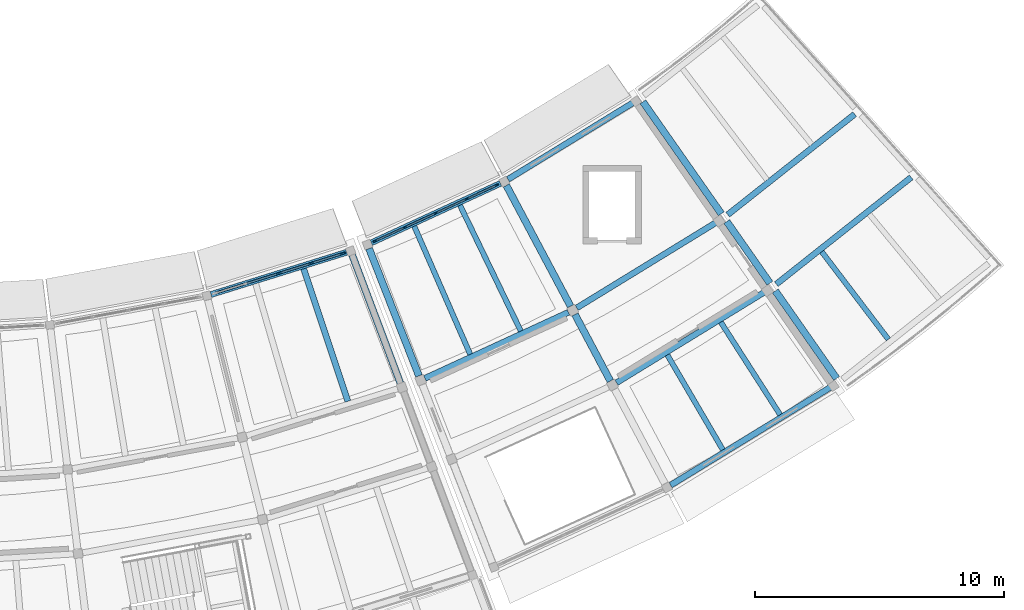
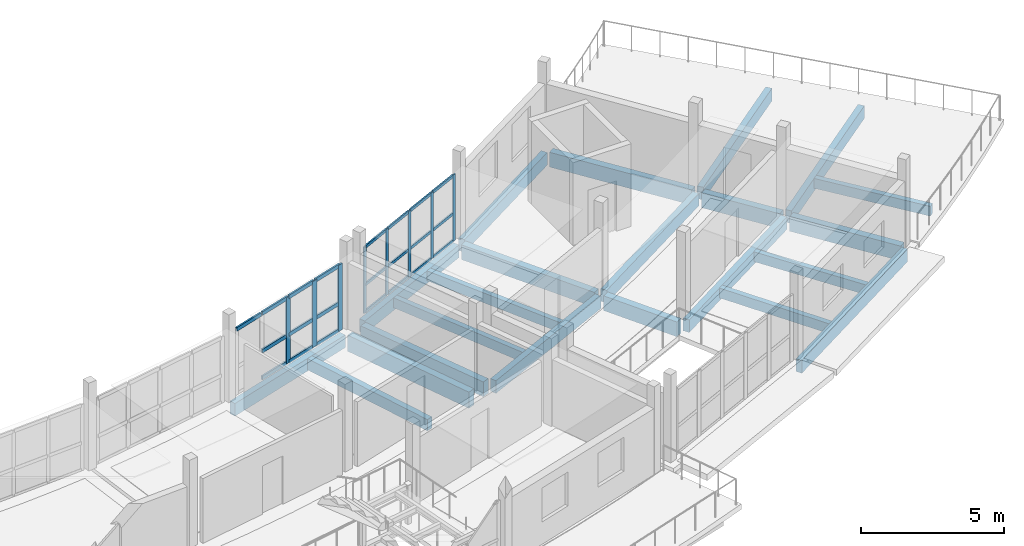
# One storey, part 13 of 24: 30 members, 22 beams, 2 elements without a shape of their own.
"""IFC4 building model written with IfcOpenShell, lengths in metres."""

from ifc_helpers import new_model, si_unit, direction, frame, origin, origin_2d, place, context, subcontext, project, spatial, rectangle, extrude, material, layer, layer_set, material_profile, profile_set, type_object, element, aggregate, save


model = new_model("IFC4")

# Units and contexts
model_context = context("Model", 3, precision=1e-05, world=origin(), true_north=direction((0.0, 1.0)))
body_context = subcontext(model_context, "Body", "Model", "MODEL_VIEW")
ifc_project = project(units=[si_unit("LENGTHUNIT", "METRE"), si_unit("AREAUNIT", "SQUARE_METRE"), si_unit("VOLUMEUNIT", "CUBIC_METRE"), si_unit("PLANEANGLEUNIT", "RADIAN"), si_unit("MASSUNIT", "GRAM", prefix="KILO")], contexts=[model_context])

# Site, building, storey
site_placement = place(None, origin())
site = spatial("IfcSite", under=ifc_project, at=site_placement, CompositionType="ELEMENT")
building_placement = place(site_placement, origin())
building = spatial("IfcBuilding", under=site, at=building_placement, Name="Caldaven Crescent School", CompositionType="ELEMENT")
storey_placement = place(building_placement, frame((0.0, 0.0, 15.639892578125)))
storey = spatial("IfcBuildingStorey", under=building, at=storey_placement, Name="L04", CompositionType="ELEMENT", Elevation=15.639892578125)

# Beams
ifc_material_1 = material(Name="Glulam MLE24h (GL28h)", Category="wood")
ifc_material_profile_1 = material_profile(ifc_material_1, rectangle(XDim=0.239990234375, YDim=0.5400390625, at=origin_2d()), Name="MLE 240x540")
ifc_profile_set_1 = profile_set([ifc_material_profile_1], Name="Glulam MLE24h (GL28h)")
beam_type_1 = type_object("IfcBeamType", Name="BM-GL54", PredefinedType="BEAM", material=ifc_profile_set_1)
beam_1_placement = place(storey_placement, frame((109.439697265625, 41.796875, -0.5), z_axis=(0.908529060939, 0.417821667018, 0.0), x_axis=(-0.417821667018, 0.908529060939, 0.0)))
element("IfcBeam", 1, at=beam_1_placement, inside=storey, type_object=beam_type_1, Name="BMT-V4E-L04-1639", PredefinedType="BEAM", context=body_context, shape_type="SweptSolid", body=[
    extrude(rectangle(XDim=0.239990234375, YDim=0.5400390625, at=origin_2d()), origin(), (0.0, 0.0, 1.0), 6.33740234375),
])
beam_2_placement = place(storey_placement, frame((115.5322265625, 44.62353515625, -0.5), z_axis=(0.852656966521, 0.522471145083, 0.0), x_axis=(-0.522471145083, 0.852656966521, 0.0)))
element("IfcBeam", 2, at=beam_2_placement, inside=storey, type_object=beam_type_1, Name="BMT-V4E-L04-1645", PredefinedType="BEAM", context=body_context, shape_type="SweptSolid", body=[
    extrude(rectangle(XDim=0.239990234375, YDim=0.5400390625, at=origin_2d()), origin(), (0.0, 0.0, 1.0), 6.73828125),
])
beam_3_placement = place(storey_placement, frame((117.12841796875, 41.621337890625, -0.5), z_axis=(0.85263411432, 0.522508437347, 0.0), x_axis=(-0.522508437347, 0.85263411432, 0.0)))
element("IfcBeam", 3, at=beam_3_placement, inside=storey, type_object=beam_type_1, Name="BMT-V4E-L04-1646", PredefinedType="BEAM", context=body_context, shape_type="SweptSolid", body=[
    extrude(rectangle(XDim=0.239990234375, YDim=0.5400390625, at=origin_2d()), origin(), (0.0, 0.0, 1.0), 7.153564453125),
])
beam_4_placement = place(storey_placement, frame((121.58837890625, 48.361328125, -0.5), z_axis=(0.783882809114, 0.620908802945, 0.0), x_axis=(-0.620908802945, 0.783882809114, 0.0)))
element("IfcBeam", 4, at=beam_4_placement, inside=storey, type_object=beam_type_1, Name="BMT-V4E-L04-1651", PredefinedType="BEAM", context=body_context, shape_type="SweptSolid", body=[
    extrude(rectangle(XDim=0.239990234375, YDim=0.5400390625, at=origin_2d()), origin(), (0.0, 0.0, 1.0), 6.5),
])
beam_5_placement = place(storey_placement, frame((123.53857421875, 45.576171875, -0.5), z_axis=(0.783886544917, 0.620904086553, 0.0), x_axis=(-0.620904086553, 0.783886544917, 0.0)))
element("IfcBeam", 5, at=beam_5_placement, inside=storey, type_object=beam_type_1, Name="BMT-V4E-L04-1652", PredefinedType="BEAM", context=body_context, shape_type="SweptSolid", body=[
    extrude(rectangle(XDim=0.239990234375, YDim=0.5400390625, at=origin_2d()), origin(), (0.0, 0.0, 1.0), 6.901123046875),
])
ifc_material_profile_2 = material_profile(ifc_material_1, rectangle(XDim=0.280029296875, YDim=0.6298828125, at=origin_2d()), Name="MLE 280x630")
ifc_profile_set_2 = profile_set([ifc_material_profile_2], Name="Glulam MLE24h (GL28h)")
beam_type_2 = type_object("IfcBeamType", Name="BM-GL63", PredefinedType="BEAM", material=ifc_profile_set_2)
for number, where, z_axis, x_axis, name in (
    (6, (107.197021484375, 47.00146484375, -0.544921875), (0.364758465134, -0.931102175979, 0.0), (0.931102175979, 0.364758465134, 0.0), "BMR-V4E-L04-1626"),
    (7, (112.7060546875, 49.534912109375, -0.544921875), (0.469453518664, -0.882957186852, 0.0), (0.882957186852, 0.469453518664, 0.0), "BMR-V4E-L04-1629"),
):
    element("IfcBeam", number, at=place(storey_placement, frame(where, z_axis=z_axis, x_axis=x_axis)), inside=storey, type_object=beam_type_2, Name=name, PredefinedType="BEAM", context=body_context, shape_type="SweptSolid", body=[
        extrude(rectangle(XDim=0.280029296875, YDim=0.6298828125, at=origin_2d()), origin(), (0.0, 0.0, 1.0), 5.485107421875),
    ])
beam_6_placement = place(storey_placement, frame((115.45947265625, 44.3564453125, -0.544921875), z_axis=(0.469450738631, -0.882958664944, 0.0), x_axis=(0.882958664944, 0.469450738631, 0.0)))
element("IfcBeam", 8, at=beam_6_placement, inside=storey, type_object=beam_type_2, Name="BMR-V4E-L04-1630", PredefinedType="BEAM", context=body_context, shape_type="SweptSolid", body=[
    extrude(rectangle(XDim=0.280029296875, YDim=0.6298828125, at=origin_2d()), origin(), (0.0, 0.0, 1.0), 3.02001953125),
])
beam_7_placement = place(storey_placement, frame((118.1845703125, 52.89208984375, -0.544921875), z_axis=(0.573578845918, -0.819150357087, 0.0), x_axis=(0.819150357087, 0.573578845918, 0.0)))
element("IfcBeam", 9, at=beam_7_placement, inside=storey, type_object=beam_type_2, Name="BMR-V4E-L04-1632", PredefinedType="BEAM", context=body_context, shape_type="SweptSolid", body=[
    extrude(rectangle(XDim=0.280029296875, YDim=0.6298828125, at=origin_2d()), origin(), (0.0, 0.0, 1.0), 5.48486328125),
])
beam_8_placement = place(storey_placement, frame((121.548583984375, 48.087890625, -0.544921875), z_axis=(0.573565425398, -0.819159754131, 0.0), x_axis=(0.819159754131, 0.573565425398, 0.0)))
element("IfcBeam", 10, at=beam_8_placement, inside=storey, type_object=beam_type_2, Name="BMR-V4E-L04-1633", PredefinedType="BEAM", context=body_context, shape_type="SweptSolid", body=[
    extrude(rectangle(XDim=0.280029296875, YDim=0.6298828125, at=origin_2d()), origin(), (0.0, 0.0, 1.0), 3.02001953125),
])
beam_9_placement = place(storey_placement, frame((123.49853515625, 45.302734375, -0.544921875), z_axis=(0.57361910929, -0.819122162719, 0.0), x_axis=(0.819122162719, 0.57361910929, 0.0)))
element("IfcBeam", 11, at=beam_9_placement, inside=storey, type_object=beam_type_2, Name="BMR-V4E-L04-1634", PredefinedType="BEAM", context=body_context, shape_type="SweptSolid", body=[
    extrude(rectangle(XDim=0.280029296875, YDim=0.6298828125, at=origin_2d()), origin(), (0.0, 0.0, 1.0), 4.28515625),
])
ifc_material_profile_3 = material_profile(ifc_material_1, rectangle(XDim=0.280029296875, YDim=0.68994140625, at=origin_2d()), Name="MLE 280x690")
ifc_profile_set_3 = profile_set([ifc_material_profile_3], Name="Glulam MLE24h (GL28h)")
beam_type_3 = type_object("IfcBeamType", Name="BM-GL69", PredefinedType="BEAM", material=ifc_profile_set_3)
beam_10_placement = place(storey_placement, frame((106.5205078125, 46.74169921875, -0.574951171875), z_axis=(0.35189401186, -0.936039851938, 0.0), x_axis=(0.936039851938, 0.35189401186, 0.0)))
element("IfcBeam", 12, at=beam_10_placement, inside=storey, type_object=beam_type_3, Name="BMR-V5-L04-1575", PredefinedType="BEAM", context=body_context, shape_type="SweptSolid", body=[
    extrude(rectangle(XDim=0.280029296875, YDim=0.68994140625, at=origin_2d()), origin(), (0.0, 0.0, 1.0), 5.485107421875),
])

# Curtain wall, members
ifc_material_2 = material(Name="Anodised aluminium AA 6063-T6 and low-E double glazing", Category="aluminium")
ifc_layer_1 = layer(ifc_material_2, 0.169921875)
ifc_layer_set_1 = layer_set([ifc_layer_1], Name="Anodised aluminium AA 6063-T6 and low-E double glazing")
curtain_wall_type_1 = type_object("IfcCurtainWallType", Name="CW-SYS1", PredefinedType="NOTDEFINED", material=ifc_layer_set_1)
curtain_wall_1_placement = place(storey_placement, origin())
curtain_wall_1 = element("IfcCurtainWall", 13, at=curtain_wall_1_placement, inside=storey, type_object=curtain_wall_type_1, Name="CW-L04-177", PredefinedType="NOTDEFINED")
ifc_material_3 = material(Name="Anodised aluminium AA 6063-T6", Category="aluminium")
ifc_material_profile_4 = material_profile(ifc_material_3, rectangle(XDim=0.06005859375, YDim=0.14990234375, at=origin_2d()), Name="CWM 60x150")
ifc_profile_set_4 = profile_set([ifc_material_profile_4], Name="Anodised aluminium AA 6063-T6")
member_type_1 = type_object("IfcMemberType", Name="CWM-T1", PredefinedType="MULLION", material=ifc_profile_set_4)
member_1_placement = place(storey_placement, frame((107.432861328125, 47.30224609375, 0.0), z_axis=(0.0, 0.0, 1.0), x_axis=(-0.417824094306, 0.908527944654, 0.0)))
member_1 = element("IfcMember", 14, at=member_1_placement, type_object=member_type_1, Name="CW1 mullion 1", PredefinedType="MULLION", context=body_context, shape_type="SweptSolid", body=[
    extrude(rectangle(XDim=0.06005859375, YDim=0.14990234375, at=origin_2d()), origin(), (0.0, 0.0, 1.0), 2.820068359375),
])
member_2_placement = place(storey_placement, frame((108.64208984375, 47.858154296875, 0.0), z_axis=(0.0, 0.0, 1.0), x_axis=(-0.417824094306, 0.908527944654, 0.0)))
member_2 = element("IfcMember", 15, at=member_2_placement, type_object=member_type_1, Name="CW1 mullion 2", PredefinedType="MULLION", context=body_context, shape_type="SweptSolid", body=[
    extrude(rectangle(XDim=0.06005859375, YDim=0.14990234375, at=origin_2d()), origin(), (0.0, 0.0, 1.0), 2.820068359375),
])
member_3_placement = place(storey_placement, frame((109.87841796875, 48.4267578125, 0.0), z_axis=(0.0, 0.0, 1.0), x_axis=(-0.417824094306, 0.908527944654, 0.0)))
member_3 = element("IfcMember", 16, at=member_3_placement, type_object=member_type_1, Name="CW1 mullion 3", PredefinedType="MULLION", context=body_context, shape_type="SweptSolid", body=[
    extrude(rectangle(XDim=0.06005859375, YDim=0.14990234375, at=origin_2d()), origin(), (0.0, 0.0, 1.0), 2.820068359375),
])
member_4_placement = place(storey_placement, frame((111.11474609375, 48.995361328125, 0.0), z_axis=(0.0, 0.0, 1.0), x_axis=(-0.417824094306, 0.908527944654, 0.0)))
member_4 = element("IfcMember", 17, at=member_4_placement, type_object=member_type_1, Name="CW1 mullion 4", PredefinedType="MULLION", context=body_context, shape_type="SweptSolid", body=[
    extrude(rectangle(XDim=0.06005859375, YDim=0.14990234375, at=origin_2d()), origin(), (0.0, 0.0, 1.0), 2.820068359375),
])
member_5_placement = place(storey_placement, frame((112.323974609375, 49.551513671875, 0.0), z_axis=(0.0, 0.0, 1.0), x_axis=(-0.417824094306, 0.908527944654, 0.0)))
member_5 = element("IfcMember", 18, at=member_5_placement, type_object=member_type_1, Name="CW1 mullion 5", PredefinedType="MULLION", context=body_context, shape_type="SweptSolid", body=[
    extrude(rectangle(XDim=0.06005859375, YDim=0.14990234375, at=origin_2d()), origin(), (0.0, 0.0, 1.0), 2.820068359375),
])

ifc_layer_2 = layer(ifc_material_2, 0.22998046875)
ifc_layer_set_2 = layer_set([ifc_layer_2], Name="Anodised aluminium AA 6063-T6 and low-E double glazing")
curtain_wall_type_2 = type_object("IfcCurtainWallType", Name="CW-SYS4", PredefinedType="NOTDEFINED", material=ifc_layer_set_2)
curtain_wall_2_placement = place(storey_placement, origin())
curtain_wall_2 = element("IfcCurtainWall", 19, at=curtain_wall_2_placement, inside=storey, type_object=curtain_wall_type_2, Name="CW-L04-176", PredefinedType="NOTDEFINED")
ifc_material_profile_5 = material_profile(ifc_material_3, rectangle(XDim=0.070068359375, YDim=0.2099609375, at=origin_2d()), Name="CWM 70x210")
ifc_profile_set_5 = profile_set([ifc_material_profile_5], Name="Anodised aluminium AA 6063-T6")
member_type_2 = type_object("IfcMemberType", Name="CWM-T3", PredefinedType="MULLION", material=ifc_profile_set_5)
member_6_placement = place(storey_placement, frame((103.57373046875, 46.0068359375, 0.0), z_axis=(0.0, 0.0, 1.0), x_axis=(-0.297419758694, 0.954746818344, 0.0)))
member_6 = element("IfcMember", 20, at=member_6_placement, type_object=member_type_2, Name="CW4 mullion 3", PredefinedType="MULLION", context=body_context, shape_type="SweptSolid", body=[
    extrude(rectangle(XDim=0.070068359375, YDim=0.2099609375, at=origin_2d()), origin(), (0.0, 0.0, 1.0), 2.820068359375),
])
member_7_placement = place(storey_placement, frame((104.873046875, 46.411376953125, 0.0), z_axis=(0.0, 0.0, 1.0), x_axis=(-0.297419758694, 0.954746818344, 0.0)))
member_7 = element("IfcMember", 21, at=member_7_placement, type_object=member_type_2, Name="CW4 mullion 4", PredefinedType="MULLION", context=body_context, shape_type="SweptSolid", body=[
    extrude(rectangle(XDim=0.070068359375, YDim=0.2099609375, at=origin_2d()), origin(), (0.0, 0.0, 1.0), 2.820068359375),
])
member_8_placement = place(storey_placement, frame((106.138916015625, 46.805908203125, 0.0), z_axis=(0.0, 0.0, 1.0), x_axis=(-0.297419758694, 0.954746818344, 0.0)))
member_8 = element("IfcMember", 22, at=member_8_placement, type_object=member_type_2, Name="CW4 mullion 5", PredefinedType="MULLION", context=body_context, shape_type="SweptSolid", body=[
    extrude(rectangle(XDim=0.070068359375, YDim=0.2099609375, at=origin_2d()), origin(), (0.0, 0.0, 1.0), 2.820068359375),
])

# Member
ifc_material_profile_6 = material_profile(ifc_material_3, rectangle(XDim=0.06005859375, YDim=0.1201171875, at=origin_2d()), Name="CWT 60x120")
ifc_profile_set_6 = profile_set([ifc_material_profile_6], Name="Anodised aluminium AA 6063-T6")
member_type_3 = type_object("IfcMemberType", Name="CWT-T1", PredefinedType="USERDEFINED", material=ifc_profile_set_6)
member_9_placement = place(storey_placement, frame((107.460205078125, 47.314697265625, 0.030029296875), z_axis=(0.908515250434, 0.417851695854, 0.0), x_axis=(-0.417851695854, 0.908515250434, 0.0)))
member_9 = element("IfcMember", 23, at=member_9_placement, type_object=member_type_3, Name="CW1 transom 1.1", ObjectType="TRANSOM", PredefinedType="USERDEFINED", context=body_context, shape_type="SweptSolid", body=[
    extrude(rectangle(XDim=0.06005859375, YDim=0.1201171875, at=origin_2d()), origin(), (0.0, 0.0, 1.0), 1.270751953125),
])

member_10_placement = place(storey_placement, frame((107.460205078125, 47.314697265625, 1.18408203125), z_axis=(0.908515250434, 0.417851695854, 0.0), x_axis=(-0.417851695854, 0.908515250434, 0.0)))
member_10 = element("IfcMember", 24, at=member_10_placement, type_object=member_type_3, Name="CW1 transom 1.2", ObjectType="TRANSOM", PredefinedType="USERDEFINED", context=body_context, shape_type="SweptSolid", body=[
    extrude(rectangle(XDim=0.06005859375, YDim=0.1201171875, at=origin_2d()), origin(), (0.0, 0.0, 1.0), 1.270751953125),
])

member_11_placement = place(storey_placement, frame((107.460205078125, 47.314697265625, 2.7900390625), z_axis=(0.908515250434, 0.417851695854, 0.0), x_axis=(-0.417851695854, 0.908515250434, 0.0)))
member_11 = element("IfcMember", 25, at=member_11_placement, type_object=member_type_3, Name="CW1 transom 1.3", ObjectType="TRANSOM", PredefinedType="USERDEFINED", context=body_context, shape_type="SweptSolid", body=[
    extrude(rectangle(XDim=0.06005859375, YDim=0.1201171875, at=origin_2d()), origin(), (0.0, 0.0, 1.0), 1.270751953125),
])

member_12_placement = place(storey_placement, frame((108.669189453125, 47.870849609375, 0.030029296875), z_axis=(0.908551721901, 0.417772388546, 0.0), x_axis=(-0.417772388546, 0.908551721901, 0.0)))
member_12 = element("IfcMember", 26, at=member_12_placement, type_object=member_type_3, Name="CW1 transom 2.1", ObjectType="TRANSOM", PredefinedType="USERDEFINED", context=body_context, shape_type="SweptSolid", body=[
    extrude(rectangle(XDim=0.06005859375, YDim=0.1201171875, at=origin_2d()), origin(), (0.0, 0.0, 1.0), 1.30078125),
])

member_13_placement = place(storey_placement, frame((108.669189453125, 47.870849609375, 1.18408203125), z_axis=(0.908551721901, 0.417772388546, 0.0), x_axis=(-0.417772388546, 0.908551721901, 0.0)))
member_13 = element("IfcMember", 27, at=member_13_placement, type_object=member_type_3, Name="CW1 transom 2.2", ObjectType="TRANSOM", PredefinedType="USERDEFINED", context=body_context, shape_type="SweptSolid", body=[
    extrude(rectangle(XDim=0.06005859375, YDim=0.1201171875, at=origin_2d()), origin(), (0.0, 0.0, 1.0), 1.30078125),
])

member_14_placement = place(storey_placement, frame((108.669189453125, 47.870849609375, 2.7900390625), z_axis=(0.908551721901, 0.417772388546, 0.0), x_axis=(-0.417772388546, 0.908551721901, 0.0)))
member_14 = element("IfcMember", 28, at=member_14_placement, type_object=member_type_3, Name="CW1 transom 2.3", ObjectType="TRANSOM", PredefinedType="USERDEFINED", context=body_context, shape_type="SweptSolid", body=[
    extrude(rectangle(XDim=0.06005859375, YDim=0.1201171875, at=origin_2d()), origin(), (0.0, 0.0, 1.0), 1.30078125),
])

member_15_placement = place(storey_placement, frame((109.90576171875, 48.439453125, 0.030029296875), z_axis=(0.908551721901, 0.417772388546, 0.0), x_axis=(-0.417772388546, 0.908551721901, 0.0)))
member_15 = element("IfcMember", 29, at=member_15_placement, type_object=member_type_3, Name="CW1 transom 3.1", ObjectType="TRANSOM", PredefinedType="USERDEFINED", context=body_context, shape_type="SweptSolid", body=[
    extrude(rectangle(XDim=0.06005859375, YDim=0.1201171875, at=origin_2d()), origin(), (0.0, 0.0, 1.0), 1.30078125),
])

member_16_placement = place(storey_placement, frame((109.90576171875, 48.439453125, 1.18408203125), z_axis=(0.908551721901, 0.417772388546, 0.0), x_axis=(-0.417772388546, 0.908551721901, 0.0)))
member_16 = element("IfcMember", 30, at=member_16_placement, type_object=member_type_3, Name="CW1 transom 3.2", ObjectType="TRANSOM", PredefinedType="USERDEFINED", context=body_context, shape_type="SweptSolid", body=[
    extrude(rectangle(XDim=0.06005859375, YDim=0.1201171875, at=origin_2d()), origin(), (0.0, 0.0, 1.0), 1.30078125),
])

member_17_placement = place(storey_placement, frame((109.90576171875, 48.439453125, 2.7900390625), z_axis=(0.908551721901, 0.417772388546, 0.0), x_axis=(-0.417772388546, 0.908551721901, 0.0)))
member_17 = element("IfcMember", 31, at=member_17_placement, type_object=member_type_3, Name="CW1 transom 3.3", ObjectType="TRANSOM", PredefinedType="USERDEFINED", context=body_context, shape_type="SweptSolid", body=[
    extrude(rectangle(XDim=0.06005859375, YDim=0.1201171875, at=origin_2d()), origin(), (0.0, 0.0, 1.0), 1.30078125),
])

member_18_placement = place(storey_placement, frame((111.14208984375, 49.008056640625, 0.030029296875), z_axis=(0.908515250434, 0.417851695854, 0.0), x_axis=(-0.417851695854, 0.908515250434, 0.0)))
member_18 = element("IfcMember", 32, at=member_18_placement, type_object=member_type_3, Name="CW1 transom 4.1", ObjectType="TRANSOM", PredefinedType="USERDEFINED", context=body_context, shape_type="SweptSolid", body=[
    extrude(rectangle(XDim=0.06005859375, YDim=0.1201171875, at=origin_2d()), origin(), (0.0, 0.0, 1.0), 1.270751953125),
])

member_19_placement = place(storey_placement, frame((111.14208984375, 49.008056640625, 1.18408203125), z_axis=(0.908515250434, 0.417851695854, 0.0), x_axis=(-0.417851695854, 0.908515250434, 0.0)))
member_19 = element("IfcMember", 33, at=member_19_placement, type_object=member_type_3, Name="CW1 transom 4.2", ObjectType="TRANSOM", PredefinedType="USERDEFINED", context=body_context, shape_type="SweptSolid", body=[
    extrude(rectangle(XDim=0.06005859375, YDim=0.1201171875, at=origin_2d()), origin(), (0.0, 0.0, 1.0), 1.270751953125),
])

member_20_placement = place(storey_placement, frame((111.14208984375, 49.008056640625, 2.7900390625), z_axis=(0.908515250434, 0.417851695854, 0.0), x_axis=(-0.417851695854, 0.908515250434, 0.0)))
member_20 = element("IfcMember", 34, at=member_20_placement, type_object=member_type_3, Name="CW1 transom 4.3", ObjectType="TRANSOM", PredefinedType="USERDEFINED", context=body_context, shape_type="SweptSolid", body=[
    extrude(rectangle(XDim=0.06005859375, YDim=0.1201171875, at=origin_2d()), origin(), (0.0, 0.0, 1.0), 1.270751953125),
])

aggregate(curtain_wall_1, [member_1, member_2, member_3, member_4, member_5, member_9, member_10, member_11, member_12, member_13, member_14, member_15, member_16, member_17, member_18, member_19, member_20])

ifc_material_profile_7 = material_profile(ifc_material_3, rectangle(XDim=0.070068359375, YDim=0.159912109375, at=origin_2d()), Name="CWT 70x160")
ifc_profile_set_7 = profile_set([ifc_material_profile_7], Name="Anodised aluminium AA 6063-T6")
member_type_4 = type_object("IfcMemberType", Name="CWT-T3", PredefinedType="USERDEFINED", material=ifc_profile_set_7)
member_21_placement = place(storey_placement, frame((101.0419921875, 45.218017578125, 2.78515625), z_axis=(0.954756253786, 0.297389468301, 0.0), x_axis=(-0.297389468301, 0.954756253786, 0.0)))
member_21 = element("IfcMember", 35, at=member_21_placement, type_object=member_type_4, Name="CW4 transom 1.3", ObjectType="TRANSOM", PredefinedType="USERDEFINED", context=body_context, shape_type="SweptSolid", body=[
    extrude(rectangle(XDim=0.070068359375, YDim=0.159912109375, at=origin_2d()), origin(), (0.0, 0.0, 1.0), 1.256103515625),
])

member_22_placement = place(storey_placement, frame((102.307861328125, 45.6123046875, 0.03515625), z_axis=(0.954721963294, 0.297499534125, 0.0), x_axis=(-0.297499534125, 0.954721963294, 0.0)))
member_22 = element("IfcMember", 36, at=member_22_placement, type_object=member_type_4, Name="CW4 transom 2.1", ObjectType="TRANSOM", PredefinedType="USERDEFINED", context=body_context, shape_type="SweptSolid", body=[
    extrude(rectangle(XDim=0.070068359375, YDim=0.159912109375, at=origin_2d()), origin(), (0.0, 0.0, 1.0), 1.290771484375),
])

member_23_placement = place(storey_placement, frame((102.307861328125, 45.6123046875, 1.18408203125), z_axis=(0.954721963294, 0.297499534125, 0.0), x_axis=(-0.297499534125, 0.954721963294, 0.0)))
member_23 = element("IfcMember", 37, at=member_23_placement, type_object=member_type_4, Name="CW4 transom 2.2", ObjectType="TRANSOM", PredefinedType="USERDEFINED", context=body_context, shape_type="SweptSolid", body=[
    extrude(rectangle(XDim=0.070068359375, YDim=0.159912109375, at=origin_2d()), origin(), (0.0, 0.0, 1.0), 1.290771484375),
])

member_24_placement = place(storey_placement, frame((102.307861328125, 45.6123046875, 2.78515625), z_axis=(0.954721963294, 0.297499534125, 0.0), x_axis=(-0.297499534125, 0.954721963294, 0.0)))
member_24 = element("IfcMember", 38, at=member_24_placement, type_object=member_type_4, Name="CW4 transom 2.3", ObjectType="TRANSOM", PredefinedType="USERDEFINED", context=body_context, shape_type="SweptSolid", body=[
    extrude(rectangle(XDim=0.070068359375, YDim=0.159912109375, at=origin_2d()), origin(), (0.0, 0.0, 1.0), 1.290771484375),
])

member_25_placement = place(storey_placement, frame((103.607177734375, 46.01708984375, 0.03515625), z_axis=(0.954721963294, 0.297499534125, 0.0), x_axis=(-0.297499534125, 0.954721963294, 0.0)))
member_25 = element("IfcMember", 39, at=member_25_placement, type_object=member_type_4, Name="CW4 transom 3.1", ObjectType="TRANSOM", PredefinedType="USERDEFINED", context=body_context, shape_type="SweptSolid", body=[
    extrude(rectangle(XDim=0.070068359375, YDim=0.159912109375, at=origin_2d()), origin(), (0.0, 0.0, 1.0), 1.290771484375),
])

member_26_placement = place(storey_placement, frame((103.607177734375, 46.01708984375, 1.18408203125), z_axis=(0.954721963294, 0.297499534125, 0.0), x_axis=(-0.297499534125, 0.954721963294, 0.0)))
member_26 = element("IfcMember", 40, at=member_26_placement, type_object=member_type_4, Name="CW4 transom 3.2", ObjectType="TRANSOM", PredefinedType="USERDEFINED", context=body_context, shape_type="SweptSolid", body=[
    extrude(rectangle(XDim=0.070068359375, YDim=0.159912109375, at=origin_2d()), origin(), (0.0, 0.0, 1.0), 1.290771484375),
])

member_27_placement = place(storey_placement, frame((103.607177734375, 46.01708984375, 2.78515625), z_axis=(0.954721963294, 0.297499534125, 0.0), x_axis=(-0.297499534125, 0.954721963294, 0.0)))
member_27 = element("IfcMember", 41, at=member_27_placement, type_object=member_type_4, Name="CW4 transom 3.3", ObjectType="TRANSOM", PredefinedType="USERDEFINED", context=body_context, shape_type="SweptSolid", body=[
    extrude(rectangle(XDim=0.070068359375, YDim=0.159912109375, at=origin_2d()), origin(), (0.0, 0.0, 1.0), 1.290771484375),
])

member_28_placement = place(storey_placement, frame((104.906494140625, 46.421875, 0.03515625), z_axis=(0.954739058626, 0.297444667012, 0.0), x_axis=(-0.297444667012, 0.954739058626, 0.0)))
member_28 = element("IfcMember", 42, at=member_28_placement, type_object=member_type_4, Name="CW4 transom 4.1", ObjectType="TRANSOM", PredefinedType="USERDEFINED", context=body_context, shape_type="SweptSolid", body=[
    extrude(rectangle(XDim=0.070068359375, YDim=0.159912109375, at=origin_2d()), origin(), (0.0, 0.0, 1.0), 1.255859375),
])

member_29_placement = place(storey_placement, frame((104.906494140625, 46.421875, 1.18408203125), z_axis=(0.954739058626, 0.297444667012, 0.0), x_axis=(-0.297444667012, 0.954739058626, 0.0)))
member_29 = element("IfcMember", 43, at=member_29_placement, type_object=member_type_4, Name="CW4 transom 4.2", ObjectType="TRANSOM", PredefinedType="USERDEFINED", context=body_context, shape_type="SweptSolid", body=[
    extrude(rectangle(XDim=0.070068359375, YDim=0.159912109375, at=origin_2d()), origin(), (0.0, 0.0, 1.0), 1.255859375),
])

member_30_placement = place(storey_placement, frame((104.906494140625, 46.421875, 2.78515625), z_axis=(0.954739058626, 0.297444667012, 0.0), x_axis=(-0.297444667012, 0.954739058626, 0.0)))
member_30 = element("IfcMember", 44, at=member_30_placement, type_object=member_type_4, Name="CW4 transom 4.3", ObjectType="TRANSOM", PredefinedType="USERDEFINED", context=body_context, shape_type="SweptSolid", body=[
    extrude(rectangle(XDim=0.070068359375, YDim=0.159912109375, at=origin_2d()), origin(), (0.0, 0.0, 1.0), 1.255859375),
])

aggregate(curtain_wall_2, [member_6, member_7, member_8, member_21, member_22, member_23, member_24, member_25, member_26, member_27, member_28, member_29, member_30])

# Beams
ifc_material_profile_8 = material_profile(ifc_material_1, rectangle(XDim=0.2099609375, YDim=0.419921875, at=origin_2d()), Name="MLE 210x420")
ifc_profile_set_8 = profile_set([ifc_material_profile_8], Name="Glulam MLE24h (GL28h)")
beam_type_4 = type_object("IfcBeamType", Name="JS-GL42", PredefinedType="JOIST", material=ifc_profile_set_8)
beam_11_placement = place(storey_placement, frame((109.00927734375, 47.900634765625, -0.43994140625), z_axis=(0.400268713255, -0.916397816011, 0.0), x_axis=(0.916397816011, 0.400268713255, 0.0)))
element("IfcBeam", 45, at=beam_11_placement, inside=storey, type_object=beam_type_4, Name="JSR-V4E-L04-1642", PredefinedType="JOIST", context=body_context, shape_type="SweptSolid", body=[
    extrude(rectangle(XDim=0.2099609375, YDim=0.419921875, at=origin_2d()), origin(), (0.0, 0.0, 1.0), 5.611572265625),
])
beam_12_placement = place(storey_placement, frame((110.843505859375, 48.744140625, -0.43994140625), z_axis=(0.435252715728, -0.900308321327, 0.0), x_axis=(0.900308321327, 0.435252715728, 0.0)))
element("IfcBeam", 46, at=beam_12_placement, inside=storey, type_object=beam_type_4, Name="JSR-V4E-L04-1643", PredefinedType="JOIST", context=body_context, shape_type="SweptSolid", body=[
    extrude(rectangle(XDim=0.2099609375, YDim=0.419921875, at=origin_2d()), origin(), (0.0, 0.0, 1.0), 5.611328125),
])
for number, where, z_axis, x_axis, name in (
    (47, (119.16552734375, 42.73486328125, -0.43994140625), (0.505009324262, -0.863113887276, 0.0), (0.863113887276, 0.505009324262, 0.0), "JSR-V4E-L04-1648"),
    (48, (121.310546875, 44.049560546875, -0.43994140625), (0.539800849334, -0.841792755409, 0.0), (0.841792755409, 0.539800849334, 0.0), "JSR-V4E-L04-1649"),
):
    element("IfcBeam", number, at=place(storey_placement, frame(where, z_axis=z_axis, x_axis=x_axis)), inside=storey, type_object=beam_type_4, Name=name, PredefinedType="JOIST", context=body_context, shape_type="SweptSolid", body=[
        extrude(rectangle(XDim=0.2099609375, YDim=0.419921875, at=origin_2d()), origin(), (0.0, 0.0, 1.0), 4.412353515625),
    ])
beam_13_placement = place(storey_placement, frame((125.36181640625, 46.873779296875, -0.43994140625), z_axis=(0.605324520561, -0.795978784144, 0.0), x_axis=(0.795978784144, 0.605324520561, 0.0)))
element("IfcBeam", 49, at=beam_13_placement, inside=storey, type_object=beam_type_4, Name="JSR-V4E-L04-1655", PredefinedType="JOIST", context=body_context, shape_type="SweptSolid", body=[
    extrude(rectangle(XDim=0.2099609375, YDim=0.419921875, at=origin_2d()), origin(), (0.0, 0.0, 1.0), 4.412841796875),
])
ifc_material_profile_9 = material_profile(ifc_material_1, rectangle(XDim=0.239990234375, YDim=0.47998046875, at=origin_2d()), Name="MLE 240x480")
ifc_profile_set_9 = profile_set([ifc_material_profile_9], Name="Glulam MLE24h (GL28h)")
beam_type_5 = type_object("IfcBeamType", Name="JS-GL48", PredefinedType="JOIST", material=ifc_profile_set_9)
beam_14_placement = place(storey_placement, frame((104.57177734375, 46.197265625, -0.469970703125), z_axis=(0.315731740735, -0.948848495753, 0.0), x_axis=(0.948848495753, 0.315731740735, 0.0)))
element("IfcBeam", 50, at=beam_14_placement, inside=storey, type_object=beam_type_5, Name="JSR-V5-L04-1624", PredefinedType="JOIST", context=body_context, shape_type="SweptSolid", body=[
    extrude(rectangle(XDim=0.239990234375, YDim=0.47998046875, at=origin_2d()), origin(), (0.0, 0.0, 1.0), 5.611572265625),
])
ifc_material_profile_10 = material_profile(ifc_material_1, rectangle(XDim=0.239990234375, YDim=0.5400390625, at=origin_2d()), Name="MLE 240x540")
ifc_profile_set_10 = profile_set([ifc_material_profile_10], Name="Glulam MLE24h (GL28h)")
beam_type_6 = type_object("IfcBeamType", Name="SP-GL54", PredefinedType="SPANDREL", material=ifc_profile_set_10)
beam_15_placement = place(storey_placement, frame((100.85595703125, 45.16015625, -0.5), z_axis=(0.954745887262, 0.297422747543, 0.0), x_axis=(-0.297422747543, 0.954745887262, 0.0)))
element("IfcBeam", 51, at=beam_15_placement, inside=storey, type_object=beam_type_6, Name="BMT-V5-L04-1617", PredefinedType="SPANDREL", context=body_context, shape_type="SweptSolid", body=[
    extrude(rectangle(XDim=0.239990234375, YDim=0.5400390625, at=origin_2d()), origin(), (0.0, 0.0, 1.0), 5.693359375),
])
beam_16_placement = place(storey_placement, frame((107.2919921875, 47.2373046875, -0.5), z_axis=(0.908530822269, 0.417817837086, 0.0), x_axis=(-0.417817837086, 0.908530822269, 0.0)))
element("IfcBeam", 52, at=beam_16_placement, inside=storey, type_object=beam_type_6, Name="BMT-V4E-L04-1638", PredefinedType="SPANDREL", context=body_context, shape_type="SweptSolid", body=[
    extrude(rectangle(XDim=0.239990234375, YDim=0.5400390625, at=origin_2d()), origin(), (0.0, 0.0, 1.0), 5.693603515625),
])
beam_17_placement = place(storey_placement, frame((112.77294921875, 49.78076171875, -0.5), z_axis=(0.852630230292, 0.522514775287, 0.0), x_axis=(-0.522514775287, 0.852630230292, 0.0)))
element("IfcBeam", 53, at=beam_17_placement, inside=storey, type_object=beam_type_6, Name="BMT-V4E-L04-1644", PredefinedType="SPANDREL", context=body_context, shape_type="SweptSolid", body=[
    extrude(rectangle(XDim=0.239990234375, YDim=0.5400390625, at=origin_2d()), origin(), (0.0, 0.0, 1.0), 6.053955078125),
])
beam_18_placement = place(storey_placement, frame((119.298583984375, 37.5078125, -0.5), z_axis=(0.852633391442, 0.522509616943, 0.0), x_axis=(-0.522509616943, 0.852633391442, 0.0)))
element("IfcBeam", 54, at=beam_18_placement, inside=storey, type_object=beam_type_6, Name="BMT-V4E-L04-1647", PredefinedType="SPANDREL", context=body_context, shape_type="SweptSolid", body=[
    extrude(rectangle(XDim=0.239990234375, YDim=0.5400390625, at=origin_2d()), origin(), (0.0, 0.0, 1.0), 7.751220703125),
])

save(model, "model.ifc")
